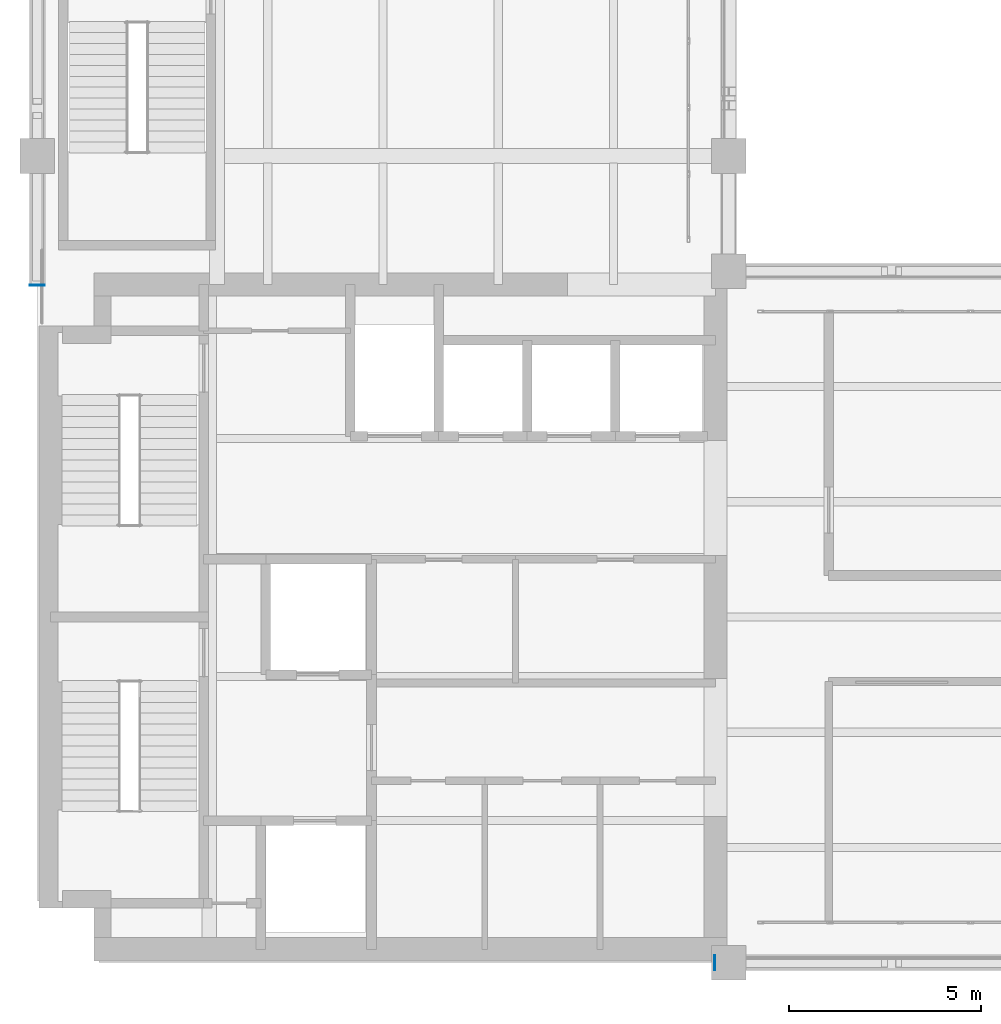
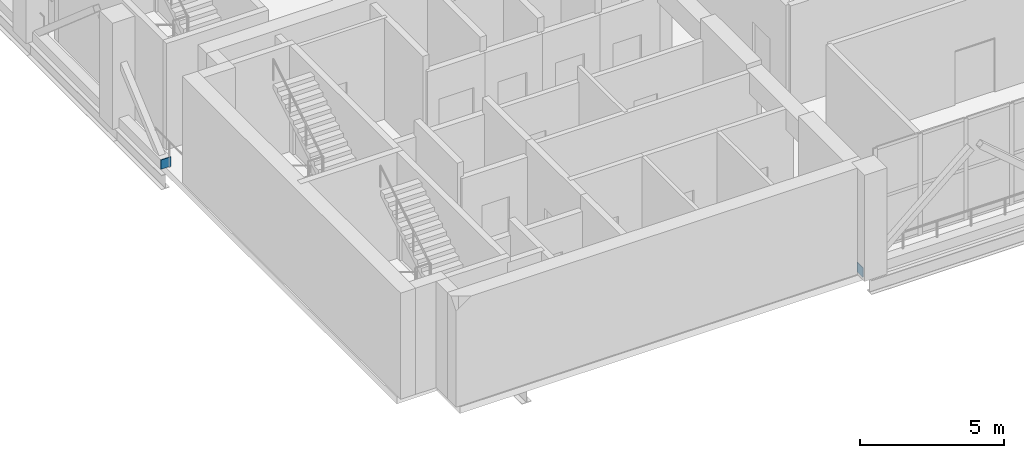
# One storey, part 25 of 26: 2 discrete accessories.
"""IFC4 building model written with IfcOpenShell, lengths in metres."""

from ifc_helpers import new_model, si_unit, direction, frame, origin, origin_2d, place, context, subcontext, project, spatial, rectangle, extrude, material, material_profile, profile_set, type_object, element, save


model = new_model("IFC4")

# Units and contexts
model_context = context("Model", 3, precision=1e-05, world=origin(), true_north=direction((0.0, 1.0)))
body_context = subcontext(model_context, "Body", "Model", "MODEL_VIEW")
ifc_project = project(units=[si_unit("LENGTHUNIT", "METRE"), si_unit("AREAUNIT", "SQUARE_METRE"), si_unit("VOLUMEUNIT", "CUBIC_METRE"), si_unit("PLANEANGLEUNIT", "RADIAN"), si_unit("MASSUNIT", "GRAM", prefix="KILO")], contexts=[model_context])

# Site, building, storey
site_placement = place(None, origin())
site = spatial("IfcSite", under=ifc_project, at=site_placement, CompositionType="ELEMENT")
building_placement = place(site_placement, origin())
building = spatial("IfcBuilding", under=site, at=building_placement, Name="Mawjdan Bourse Tower", CompositionType="ELEMENT")
storey_placement = place(building_placement, frame((0.0, 0.0, 226.800048828125)))
storey = spatial("IfcBuildingStorey", under=building, at=storey_placement, Name="L55", CompositionType="ELEMENT", Elevation=226.800048828125)

# Discrete accessories
ifc_material = material(Name="Structural Steel S460", Category="steel")
ifc_material_profile = material_profile(ifc_material, rectangle(XDim=0.39990234375, YDim=0.39990234375, at=origin_2d()), Name="EPL-HSS400X400X16")
ifc_profile_set = profile_set([ifc_material_profile], Name="Structural Steel S460")
discrete_accessory_type = type_object("IfcDiscreteAccessoryType", Name="EPL-HSS400X400X16", PredefinedType="NOTDEFINED", material=ifc_profile_set)
for number, where, z_axis, x_axis, name in (
    (1, (23.64990234375, 3.0, 0.199951171875), (-1.0, 0.0, 0.0), (0.0, -1.0, 0.0), "L55 East Outrigger Truss 1 Chord End Plate 1"),
    (2, (6.0, 20.64990234375, 0.199951171875), (0.0, -1.0, 0.0), (1.0, 0.0, 0.0), "L55 North Outrigger Truss 1 Chord End Plate 1"),
):
    element("IfcDiscreteAccessory", number, at=place(storey_placement, frame(where, z_axis=z_axis, x_axis=x_axis)), inside=storey, type_object=discrete_accessory_type, Name=name, PredefinedType="NOTDEFINED", context=body_context, shape_type="SweptSolid", body=[
        extrude(rectangle(XDim=0.39990234375, YDim=0.39990234375, at=origin_2d()), origin(), (0.0, 0.0, 1.0), 0.02490234375),
    ])

save(model, "model.ifc")
